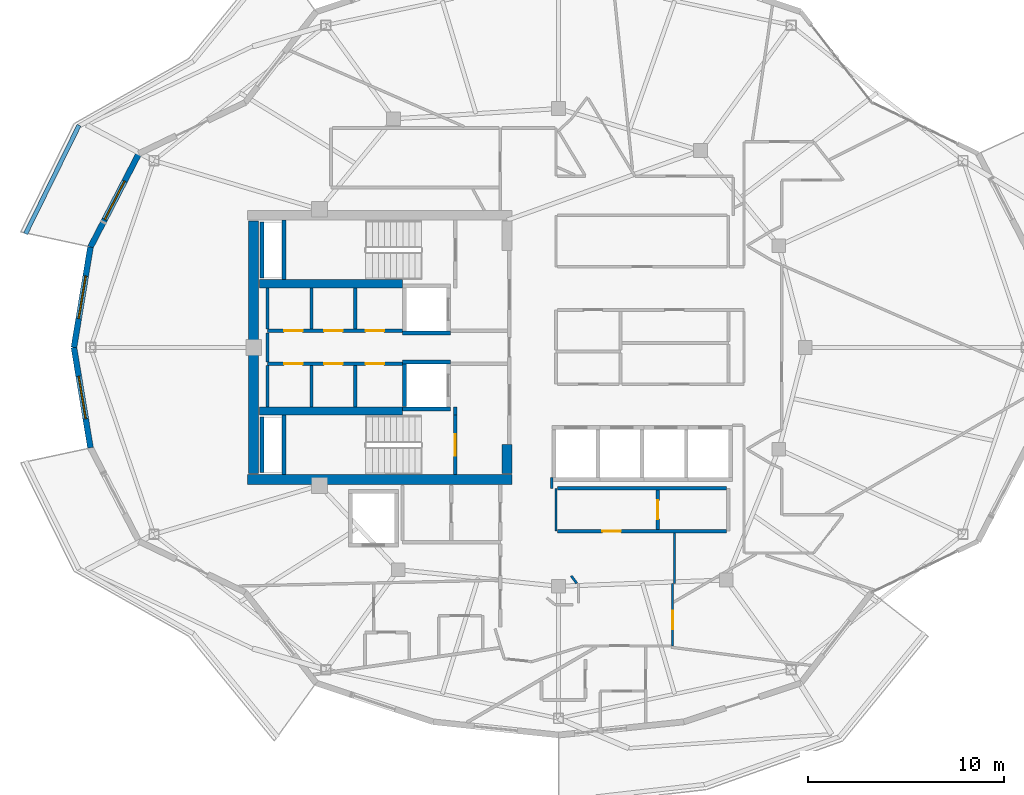
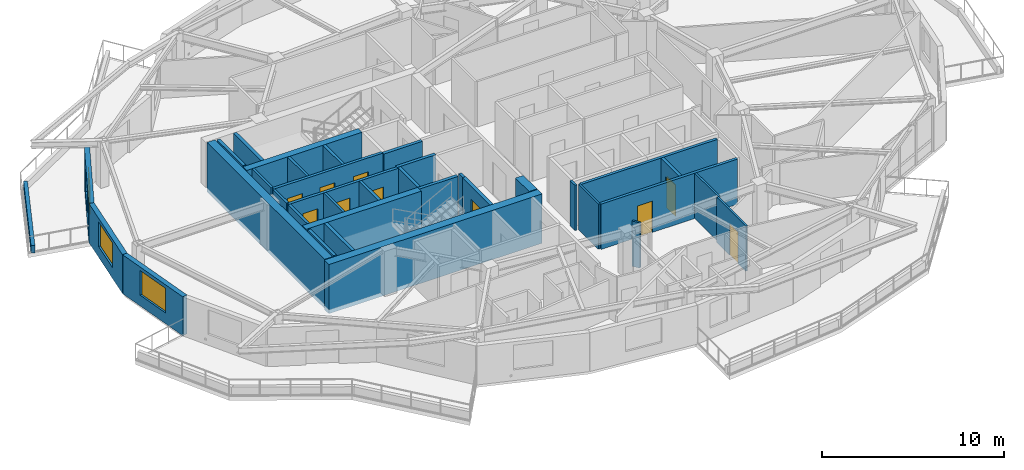
# One storey, part 7 of 14: 36 walls, 10 doors, 3 windows, 13 openings.
"""IFC4 building model written with IfcOpenShell, lengths in metres."""

from ifc_helpers import new_model, si_unit, direction, frame, frame_2d, origin, place, context, subcontext, project, spatial, rectangle, extrude, material, layer, layer_set, type_object, element, fill, save


model = new_model("IFC4")

# Units and contexts
model_context = context("Model", 3, precision=1e-05, world=origin(), true_north=direction((0.0, 1.0)))
body_context = subcontext(model_context, "Body", "Model", "MODEL_VIEW")
ifc_project = project(units=[si_unit("LENGTHUNIT", "METRE"), si_unit("AREAUNIT", "SQUARE_METRE"), si_unit("VOLUMEUNIT", "CUBIC_METRE"), si_unit("PLANEANGLEUNIT", "RADIAN"), si_unit("MASSUNIT", "GRAM", prefix="KILO")], contexts=[model_context])

# Site, building, storey
site_placement = place(None, origin())
site = spatial("IfcSite", under=ifc_project, at=site_placement, CompositionType="ELEMENT")
building_placement = place(site_placement, origin())
building = spatial("IfcBuilding", under=site, at=building_placement, Name="Kolvaren Gate Tower and Convention Centre", CompositionType="ELEMENT")
storey_placement = place(building_placement, frame((0.0, 0.0, 232.699951171875)))
storey = spatial("IfcBuildingStorey", under=building, at=storey_placement, Name="L62", CompositionType="ELEMENT", Elevation=232.699951171875)

# Wall
ifc_material_1 = material(Name="Autoclaved Aerated Masonry Blockwork Class 4 (4.0 MPa)", Category="masonry")
ifc_layer_1 = layer(ifc_material_1, 0.179931640625)
ifc_layer_set_1 = layer_set([ifc_layer_1], Name="Autoclaved Aerated Masonry Blockwork Class 4 (4.0 MPa)")
wall_type_1 = type_object("IfcWallType", Name="ARCH-WL-COMP-180", PredefinedType="SOLIDWALL", material=ifc_layer_set_1)
wall_1_placement = place(storey_placement, frame((24.85009765625, 23.5400390625, 0.0), z_axis=(0.0, 0.0, 1.0), x_axis=(0.0, 1.0, 0.0)))
element("IfcWall", 1, at=wall_1_placement, inside=storey, type_object=wall_type_1, Name="Interior Partition WL-L62-INT-001", PredefinedType="SOLIDWALL", context=body_context, shape_type="SweptSolid", body=[
    extrude(rectangle(XDim=0.419921875, YDim=0.179931640625, at=frame_2d((0.2099609375, 0.0))), origin(), (0.0, 0.0, 1.0), 3.030029296875),
])

# Wall, openings, doors
wall_2_placement = place(storey_placement, frame((15.25, 27.840087890625, 0.0), z_axis=(0.0, 0.0, 1.0), x_axis=(1.0, 0.0, 0.0)))
wall_2 = element("IfcWall", 2, at=wall_2_placement, inside=storey, type_object=wall_type_1, Name="Interior Partition WL-L62-INT-004", PredefinedType="SOLIDWALL", context=body_context, shape_type="SweptSolid", body=[
    extrude(rectangle(XDim=6.89990234375, YDim=0.179931640625, at=frame_2d((3.449951171875, 0.0))), origin(), (0.0, 0.0, 1.0), 3.030029296875),
])
opening_1_placement = place(wall_2_placement, frame((5.02001953125, 0.0, 0.0)))
opening_1 = element("IfcOpeningElement", 3, at=opening_1_placement, cuts=wall_2, Name="Opening DR-01", PredefinedType="OPENING", context=body_context, shape_type="SweptSolid", body=[
    extrude(rectangle(XDim=0.949951171875, YDim=2.10009765625, at=frame_2d((0.47509765625, 1.050048828125))), frame((0.0, 0.099853515625, 0.0), z_axis=(0.0, -1.0, 0.0), x_axis=(1.0, 0.0, 0.0)), (0.0, 0.0, 1.0), 0.199951171875),
])
opening_2_placement = place(wall_2_placement, frame((0.85498046875, 0.0, 0.0)))
opening_2 = element("IfcOpeningElement", 4, at=opening_2_placement, cuts=wall_2, Name="Opening DR-01", PredefinedType="OPENING", context=body_context, shape_type="SweptSolid", body=[
    extrude(rectangle(XDim=0.949951171875, YDim=2.10009765625, at=frame_2d((0.47509765625, 1.050048828125))), frame((0.0, 0.099853515625, 0.0), z_axis=(0.0, -1.0, 0.0), x_axis=(1.0, 0.0, 0.0)), (0.0, 0.0, 1.0), 0.199951171875),
])
opening_3_placement = place(wall_2_placement, frame((2.89990234375, 0.0, 0.0)))
opening_3 = element("IfcOpeningElement", 5, at=opening_3_placement, cuts=wall_2, Name="Opening DR-01", PredefinedType="OPENING", context=body_context, shape_type="SweptSolid", body=[
    extrude(rectangle(XDim=0.949951171875, YDim=2.10009765625, at=frame_2d((0.47509765625, 1.050048828125))), frame((0.0, 0.099853515625, 0.0), z_axis=(0.0, -1.0, 0.0), x_axis=(1.0, 0.0, 0.0)), (0.0, 0.0, 1.0), 0.199951171875),
])
ifc_material_2 = material(Name="Painted Architectural Steelwork ASTM A500 Grade C 345 MPa", Category="steel")
door_type_1 = type_object("IfcDoorType", Name="ARCH-DR-RISER-950", OperationType="SINGLE_SWING_RIGHT", PredefinedType="DOOR", material=ifc_material_2)
door_1_placement = place(opening_1_placement, origin())
door_1 = element("IfcDoor", 6, at=door_1_placement, inside=storey, type_object=door_type_1, Name="Electrical Switchgear Closet Door", OperationType="SINGLE_SWING_RIGHT", OverallHeight=2.10009765625, OverallWidth=0.949951171875, PredefinedType="DOOR", context=body_context, shape_type="SweptSolid", body=[
    extrude(rectangle(XDim=0.949951171875, YDim=2.10009765625, at=frame_2d((0.47509765625, 1.050048828125))), frame((0.0, 0.02490234375, 0.0), z_axis=(0.0, -1.0, 0.0), x_axis=(1.0, 0.0, 0.0)), (0.0, 0.0, 1.0), 0.050048828125),
])
fill(opening_1, door_1)
door_2_placement = place(opening_2_placement, origin())
door_2 = element("IfcDoor", 7, at=door_2_placement, inside=storey, type_object=door_type_1, Name="Staff Accessible WC Door", OperationType="SINGLE_SWING_RIGHT", OverallHeight=2.10009765625, OverallWidth=0.949951171875, PredefinedType="DOOR", context=body_context, shape_type="SweptSolid", body=[
    extrude(rectangle(XDim=0.949951171875, YDim=2.10009765625, at=frame_2d((0.47509765625, 1.050048828125))), frame((0.0, 0.02490234375, 0.0), z_axis=(0.0, -1.0, 0.0), x_axis=(1.0, 0.0, 0.0)), (0.0, 0.0, 1.0), 0.050048828125),
])
fill(opening_2, door_2)
door_3_placement = place(opening_3_placement, origin())
door_3 = element("IfcDoor", 8, at=door_3_placement, inside=storey, type_object=door_type_1, Name="Housekeeping Sink Closet Door", OperationType="SINGLE_SWING_LEFT", OverallHeight=2.10009765625, OverallWidth=0.949951171875, PredefinedType="DOOR", context=body_context, shape_type="SweptSolid", body=[
    extrude(rectangle(XDim=0.949951171875, YDim=2.10009765625, at=frame_2d((0.47509765625, 1.050048828125))), frame((0.0, 0.02490234375, 0.0), z_axis=(0.0, -1.0, 0.0), x_axis=(1.0, 0.0, 0.0)), (0.0, 0.0, 1.0), 0.050048828125),
])
fill(opening_3, door_3)

wall_3_placement = place(storey_placement, frame((15.25, 26.159912109375, 0.0), z_axis=(0.0, 0.0, 1.0), x_axis=(1.0, 0.0, 0.0)))
wall_3 = element("IfcWall", 9, at=wall_3_placement, inside=storey, type_object=wall_type_1, Name="Interior Partition WL-L62-INT-005", PredefinedType="SOLIDWALL", context=body_context, shape_type="SweptSolid", body=[
    extrude(rectangle(XDim=6.89990234375, YDim=0.179931640625, at=frame_2d((3.449951171875, 0.0))), origin(), (0.0, 0.0, 1.0), 3.030029296875),
])
opening_4_placement = place(wall_3_placement, frame((5.02001953125, 0.0, 0.0)))
opening_4 = element("IfcOpeningElement", 10, at=opening_4_placement, cuts=wall_3, Name="Opening DR-01", PredefinedType="OPENING", context=body_context, shape_type="SweptSolid", body=[
    extrude(rectangle(XDim=0.949951171875, YDim=2.10009765625, at=frame_2d((0.47509765625, 1.050048828125))), frame((0.0, 0.099853515625, 0.0), z_axis=(0.0, -1.0, 0.0), x_axis=(1.0, 0.0, 0.0)), (0.0, 0.0, 1.0), 0.199951171875),
])
opening_5_placement = place(wall_3_placement, frame((0.85498046875, 0.0, 0.0)))
opening_5 = element("IfcOpeningElement", 11, at=opening_5_placement, cuts=wall_3, Name="Opening DR-01", PredefinedType="OPENING", context=body_context, shape_type="SweptSolid", body=[
    extrude(rectangle(XDim=0.949951171875, YDim=2.10009765625, at=frame_2d((0.47509765625, 1.050048828125))), frame((0.0, 0.099853515625, 0.0), z_axis=(0.0, -1.0, 0.0), x_axis=(1.0, 0.0, 0.0)), (0.0, 0.0, 1.0), 0.199951171875),
])
opening_6_placement = place(wall_3_placement, frame((2.89990234375, 0.0, 0.0)))
opening_6 = element("IfcOpeningElement", 12, at=opening_6_placement, cuts=wall_3, Name="Opening DR-01", PredefinedType="OPENING", context=body_context, shape_type="SweptSolid", body=[
    extrude(rectangle(XDim=0.949951171875, YDim=2.10009765625, at=frame_2d((0.47509765625, 1.050048828125))), frame((0.0, 0.099853515625, 0.0), z_axis=(0.0, -1.0, 0.0), x_axis=(1.0, 0.0, 0.0)), (0.0, 0.0, 1.0), 0.199951171875),
])
door_4_placement = place(opening_4_placement, origin())
door_4 = element("IfcDoor", 13, at=door_4_placement, inside=storey, type_object=door_type_1, Name="Domestic Water Meter Closet Door", OperationType="SINGLE_SWING_LEFT", OverallHeight=2.10009765625, OverallWidth=0.949951171875, PredefinedType="DOOR", context=body_context, shape_type="SweptSolid", body=[
    extrude(rectangle(XDim=0.949951171875, YDim=2.10009765625, at=frame_2d((0.47509765625, 1.050048828125))), frame((0.0, 0.02490234375, 0.0), z_axis=(0.0, -1.0, 0.0), x_axis=(1.0, 0.0, 0.0)), (0.0, 0.0, 1.0), 0.050048828125),
])
fill(opening_4, door_4)
door_5_placement = place(opening_5_placement, origin())
door_5 = element("IfcDoor", 14, at=door_5_placement, inside=storey, type_object=door_type_1, Name="Beverage Service Pantry Door", OperationType="SINGLE_SWING_RIGHT", OverallHeight=2.10009765625, OverallWidth=0.949951171875, PredefinedType="DOOR", context=body_context, shape_type="SweptSolid", body=[
    extrude(rectangle(XDim=0.949951171875, YDim=2.10009765625, at=frame_2d((0.47509765625, 1.050048828125))), frame((0.0, 0.02490234375, 0.0), z_axis=(0.0, -1.0, 0.0), x_axis=(1.0, 0.0, 0.0)), (0.0, 0.0, 1.0), 0.050048828125),
])
fill(opening_5, door_5)
door_6_placement = place(opening_6_placement, origin())
door_6 = element("IfcDoor", 15, at=door_6_placement, inside=storey, type_object=door_type_1, Name="Archive Supply Closet Door", OperationType="SINGLE_SWING_LEFT", OverallHeight=2.10009765625, OverallWidth=0.949951171875, PredefinedType="DOOR", context=body_context, shape_type="SweptSolid", body=[
    extrude(rectangle(XDim=0.949951171875, YDim=2.10009765625, at=frame_2d((0.47509765625, 1.050048828125))), frame((0.0, 0.02490234375, 0.0), z_axis=(0.0, -1.0, 0.0), x_axis=(1.0, 0.0, 0.0)), (0.0, 0.0, 1.0), 0.050048828125),
])
fill(opening_6, door_6)

# Walls
for number, where, z_axis, x_axis, name in (
    (16, (19.75, 23.9619140625, 0.0), (0.0, 0.0, 1.0), (0.0, 1.0, 0.0), "Interior Partition WL-L62-INT-007"),
    (17, (19.75, 27.931884765625, 0.0), (0.0, 0.0, 1.0), (0.0, 1.0, 0.0), "Interior Partition WL-L62-INT-008"),
):
    element("IfcWall", number, at=place(storey_placement, frame(where, z_axis=z_axis, x_axis=x_axis)), inside=storey, type_object=wall_type_1, Name=name, PredefinedType="SOLIDWALL", context=body_context, shape_type="SweptSolid", body=[
        extrude(rectangle(XDim=2.106201171875, YDim=0.179931640625, at=frame_2d((1.05322265625, 0.0))), origin(), (0.0, 0.0, 1.0), 3.030029296875),
    ])

# Wall, opening, door
wall_4_placement = place(storey_placement, frame((30.06201171875, 17.6201171875, 0.0), z_axis=(0.0, 0.0, 1.0), x_axis=(1.0, 0.0, 0.0)))
wall_4 = element("IfcWall", 18, at=wall_4_placement, inside=storey, type_object=wall_type_1, Name="Interior Partition WL-L62-INT-030", PredefinedType="SOLIDWALL", context=body_context, shape_type="SweptSolid", body=[
    extrude(rectangle(XDim=8.64599609375, YDim=0.179931640625, at=frame_2d((4.322998046875, 0.0))), origin(), (0.0, 0.0, 1.0), 3.030029296875),
])
opening_7_placement = place(wall_4_placement, frame((2.299072265625, 0.0, 0.0)))
opening_7 = element("IfcOpeningElement", 19, at=opening_7_placement, cuts=wall_4, Name="Opening DR-01", PredefinedType="OPENING", context=body_context, shape_type="SweptSolid", body=[
    extrude(rectangle(XDim=0.949951171875, YDim=2.10009765625, at=frame_2d((0.47509765625, 1.050048828125))), frame((0.0, 0.099853515625, 0.0), z_axis=(0.0, -1.0, 0.0), x_axis=(1.0, 0.0, 0.0)), (0.0, 0.0, 1.0), 0.199951171875),
])
door_7_placement = place(opening_7_placement, origin())
door_7 = element("IfcDoor", 20, at=door_7_placement, inside=storey, type_object=door_type_1, Name="Resident Quiet Library Door", OperationType="SINGLE_SWING_RIGHT", OverallHeight=2.10009765625, OverallWidth=0.949951171875, PredefinedType="DOOR", context=body_context, shape_type="SweptSolid", body=[
    extrude(rectangle(XDim=0.949951171875, YDim=2.10009765625, at=frame_2d((0.47509765625, 1.050048828125))), frame((0.0, 0.02490234375, 0.0), z_axis=(0.0, -1.0, 0.0), x_axis=(1.0, 0.0, 0.0)), (0.0, 0.0, 1.0), 0.050048828125),
])
fill(opening_7, door_7)

# Wall
wall_5_placement = place(storey_placement, frame((30.06201171875, 19.800048828125, 0.0), z_axis=(0.0, 0.0, 1.0), x_axis=(1.0, 0.0, 0.0)))
element("IfcWall", 21, at=wall_5_placement, inside=storey, type_object=wall_type_1, Name="Interior Partition WL-L62-INT-031", PredefinedType="SOLIDWALL", context=body_context, shape_type="SweptSolid", body=[
    extrude(rectangle(XDim=8.64599609375, YDim=0.179931640625, at=frame_2d((4.322998046875, 0.0))), origin(), (0.0, 0.0, 1.0), 3.030029296875),
])

# Wall, opening, door
wall_6_placement = place(storey_placement, frame((35.199951171875, 17.7119140625, 0.0), z_axis=(0.0, 0.0, 1.0), x_axis=(0.0, 1.0, 0.0)))
wall_6 = element("IfcWall", 22, at=wall_6_placement, inside=storey, type_object=wall_type_1, Name="Interior Partition WL-L62-INT-032", PredefinedType="SOLIDWALL", context=body_context, shape_type="SweptSolid", body=[
    extrude(rectangle(XDim=1.99609375, YDim=0.179931640625, at=frame_2d((0.998046875, 0.0))), origin(), (0.0, 0.0, 1.0), 3.030029296875),
])
opening_8_placement = place(wall_6_placement, frame((0.52294921875, 0.0, 0.0)))
opening_8 = element("IfcOpeningElement", 23, at=opening_8_placement, cuts=wall_6, Name="Opening DR-01", PredefinedType="OPENING", context=body_context, shape_type="SweptSolid", body=[
    extrude(rectangle(XDim=0.949951171875, YDim=2.10009765625, at=frame_2d((0.47509765625, 1.050048828125))), frame((0.0, 0.099853515625, 0.0), z_axis=(0.0, -1.0, 0.0), x_axis=(1.0, 0.0, 0.0)), (0.0, 0.0, 1.0), 0.199951171875),
])
door_8_placement = place(opening_8_placement, origin())
door_8 = element("IfcDoor", 24, at=door_8_placement, inside=storey, type_object=door_type_1, Name="Smart-Metering Room Door", OperationType="SINGLE_SWING_RIGHT", OverallHeight=2.10009765625, OverallWidth=0.949951171875, PredefinedType="DOOR", context=body_context, shape_type="SweptSolid", body=[
    extrude(rectangle(XDim=0.949951171875, YDim=2.10009765625, at=frame_2d((0.47509765625, 1.050048828125))), frame((0.0, 0.02490234375, 0.0), z_axis=(0.0, -1.0, 0.0), x_axis=(1.0, 0.0, 0.0)), (0.0, 0.0, 1.0), 0.050048828125),
])
fill(opening_8, door_8)

# Walls
ifc_material_3 = material(Name="Fire-Rated Acoustic Gypsum Stud Partition", Category="gypsum")
ifc_layer_2 = layer(ifc_material_3, 0.1201171875)
ifc_layer_set_2 = layer_set([ifc_layer_2], Name="Fire-Rated Acoustic Gypsum Stud Partition")
wall_type_2 = type_object("IfcWallType", Name="ARCH-WL-PART-120", PredefinedType="PARTITIONING", material=ifc_layer_set_2)
wall_7_placement = place(storey_placement, frame((30.0, 17.6201171875, 0.0), z_axis=(0.0, 0.0, 1.0), x_axis=(0.0, 1.0, 0.0)))
element("IfcWall", 25, at=wall_7_placement, inside=storey, type_object=wall_type_2, Name="Interior Partition WL-L62-INT-017", PredefinedType="PARTITIONING", context=body_context, shape_type="SweptSolid", body=[
    extrude(rectangle(XDim=2.179931640625, YDim=0.1201171875, at=frame_2d((1.08984375, 0.0))), origin(), (0.0, 0.0, 1.0), 3.030029296875),
])
wall_8_placement = place(storey_placement, frame((29.780029296875, 19.800048828125, 0.0), z_axis=(0.0, 0.0, 1.0), x_axis=(0.0, 1.0, 0.0)))
element("IfcWall", 26, at=wall_8_placement, inside=storey, type_object=wall_type_2, Name="Interior Partition WL-L62-INT-064", PredefinedType="PARTITIONING", context=body_context, shape_type="SweptSolid", body=[
    extrude(rectangle(XDim=0.56005859375, YDim=0.1201171875, at=frame_2d((0.280029296875, 0.0))), origin(), (0.0, 0.0, 1.0), 3.030029296875),
])
wall_9_placement = place(storey_placement, frame((36.050048828125, 14.949951171875, 0.0), z_axis=(0.0, 0.0, 1.0), x_axis=(0.0, 1.0, 0.0)))
element("IfcWall", 27, at=wall_9_placement, inside=storey, type_object=wall_type_2, Name="Interior Partition WL-L62-INT-065", PredefinedType="PARTITIONING", context=body_context, shape_type="SweptSolid", body=[
    extrude(rectangle(XDim=2.578125, YDim=0.1201171875, at=frame_2d((1.2890625, 0.0))), origin(), (0.0, 0.0, 1.0), 3.030029296875),
])

# Wall, opening, door
wall_10_placement = place(storey_placement, frame((35.949951171875, 11.75, 0.0), z_axis=(0.0, 0.0, 1.0), x_axis=(0.0, 1.0, 0.0)))
wall_10 = element("IfcWall", 28, at=wall_10_placement, inside=storey, type_object=wall_type_2, Name="Interior Partition WL-L62-INT-066", PredefinedType="PARTITIONING", context=body_context, shape_type="SweptSolid", body=[
    extrude(rectangle(XDim=3.199951171875, YDim=0.1201171875, at=frame_2d((1.60009765625, 0.0))), origin(), (0.0, 0.0, 1.0), 3.030029296875),
])
opening_9_placement = place(wall_10_placement, frame((0.852783203125, 0.0, 0.0)))
opening_9 = element("IfcOpeningElement", 29, at=opening_9_placement, cuts=wall_10, Name="Opening DR-01", PredefinedType="OPENING", context=body_context, shape_type="SweptSolid", body=[
    extrude(rectangle(XDim=0.949951171875, YDim=2.10009765625, at=frame_2d((0.47509765625, 1.050048828125))), frame((0.0, 0.070068359375, 0.0), z_axis=(0.0, -1.0, 0.0), x_axis=(1.0, 0.0, 0.0)), (0.0, 0.0, 1.0), 0.14013671875),
])
door_9_placement = place(opening_9_placement, origin())
door_9 = element("IfcDoor", 30, at=door_9_placement, inside=storey, type_object=door_type_1, Name="Resident Committee Meeting Room Door", OperationType="SINGLE_SWING_LEFT", OverallHeight=2.10009765625, OverallWidth=0.949951171875, PredefinedType="DOOR", context=body_context, shape_type="SweptSolid", body=[
    extrude(rectangle(XDim=0.949951171875, YDim=2.10009765625, at=frame_2d((0.47509765625, 1.050048828125))), frame((0.0, 0.02490234375, 0.0), z_axis=(0.0, -1.0, 0.0), x_axis=(1.0, 0.0, 0.0)), (0.0, 0.0, 1.0), 0.050048828125),
])
fill(opening_9, door_9)

# Walls
wall_11_placement = place(storey_placement, frame((30.77392578125, 15.3330078125, 0.0), z_axis=(0.0, 0.0, 1.0), x_axis=(0.595814974861, -0.803121731577, 0.0)))
element("IfcWall", 31, at=wall_11_placement, inside=storey, type_object=wall_type_2, Name="Interior Partition WL-L62-INT-073", PredefinedType="PARTITIONING", context=body_context, shape_type="SweptSolid", body=[
    extrude(rectangle(XDim=0.47705078125, YDim=0.1201171875, at=frame_2d((0.238525390625, 0.0))), origin(), (0.0, 0.0, 1.0), 3.030029296875),
])
ifc_material_4 = material(Name="Piedmont Cream Honed Limestone Cladding", Category="masonry")
ifc_layer_3 = layer(ifc_material_4, 0.219970703125)
ifc_layer_set_3 = layer_set([ifc_layer_3], Name="Piedmont Cream Honed Limestone Cladding")
wall_type_3 = type_object("IfcWallType", Name="ARCH-WL-PLANTER-220", PredefinedType="PARAPET", material=ifc_layer_set_3)
wall_12_placement = place(storey_placement, frame((2.905517578125, 32.8037109375, 0.0), z_axis=(0.0, 0.0, 1.0), x_axis=(0.441640961804, 0.897191875162, 0.0)))
element("IfcWall", 32, at=wall_12_placement, inside=storey, type_object=wall_type_3, Name="Vertical-Forest Balcony Stone Planter Kerb PK-L62-1.3", PredefinedType="PARAPET", context=body_context, shape_type="SweptSolid", body=[
    extrude(rectangle(XDim=6.17822265625, YDim=0.219970703125, at=frame_2d((3.089111328125, 0.0))), origin(), (0.0, 0.0, 1.0), 0.52001953125),
])
ifc_layer_4 = layer(ifc_material_1, 0.199951171875)
ifc_layer_set_4 = layer_set([ifc_layer_4], Name="Autoclaved Aerated Masonry Blockwork Class 4 (4.0 MPa)")
wall_type_4 = type_object("IfcWallType", Name="ARCH-WL-SHAFT-200", PredefinedType="SOLIDWALL", material=ifc_layer_set_4)
for number, where, z_axis, x_axis, name in (
    (33, (22.14990234375, 27.739990234375, 0.0), (0.0, 0.0, 1.0), (1.0, 0.0, 0.0), "Elevator FF-01 L62 Fire Shaft Wall S"),
    (34, (22.14990234375, 26.260009765625, 0.0), (0.0, 0.0, 1.0), (1.0, 0.0, 0.0), "Elevator FF-02 L62 Fire Shaft Wall N"),
    (35, (22.14990234375, 23.860107421875, 0.0), (0.0, 0.0, 1.0), (1.0, 0.0, 0.0), "Elevator FF-02 L62 Fire Shaft Wall S"),
):
    element("IfcWall", number, at=place(storey_placement, frame(where, z_axis=z_axis, x_axis=x_axis)), inside=storey, type_object=wall_type_4, Name=name, PredefinedType="SOLIDWALL", context=body_context, shape_type="SweptSolid", body=[
        extrude(rectangle(XDim=2.4501953125, YDim=0.199951171875, at=frame_2d((1.22509765625, 0.0))), origin(), (0.0, 0.0, 1.0), 3.030029296875),
    ])
wall_13_placement = place(storey_placement, frame((22.25, 23.969970703125, 0.0), z_axis=(0.0, 0.0, 1.0), x_axis=(0.0, 1.0, 0.0)))
element("IfcWall", 36, at=wall_13_placement, inside=storey, type_object=wall_type_4, Name="Elevator FF-02 L62 Fire Shaft Wall W", PredefinedType="SOLIDWALL", context=body_context, shape_type="SweptSolid", body=[
    extrude(rectangle(XDim=2.179931640625, YDim=0.199951171875, at=frame_2d((1.08984375, 0.0))), origin(), (0.0, 0.0, 1.0), 3.030029296875),
])
for number, where, z_axis, x_axis, name in (
    (37, (14.989990234375, 30.550048828125, 0.0), (0.0, 0.0, 1.0), (0.0, 1.0, 0.0), "Vertical Shaft HVR L62 EI-120 Enclosure Wall W"),
    (38, (14.989990234375, 20.60009765625, 0.0), (0.0, 0.0, 1.0), (0.0, 1.0, 0.0), "Vertical Shaft MPR L62 EI-120 Enclosure Wall W"),
):
    element("IfcWall", number, at=place(storey_placement, frame(where, z_axis=z_axis, x_axis=x_axis)), inside=storey, type_object=wall_type_4, Name=name, PredefinedType="SOLIDWALL", context=body_context, shape_type="SweptSolid", body=[
        extrude(rectangle(XDim=2.849853515625, YDim=0.199951171875, at=frame_2d((1.4248046875, 0.0))), origin(), (0.0, 0.0, 1.0), 3.030029296875),
    ])

# Wall, opening, window
ifc_layer_5 = layer(ifc_material_4, 0.300048828125)
ifc_layer_set_5 = layer_set([ifc_layer_5], Name="Piedmont Cream Honed Limestone Cladding")
wall_type_5 = type_object("IfcWallType", Name="ARCH-WL-STONE-300", PredefinedType="SOLIDWALL", material=ifc_layer_set_5)
wall_14_placement = place(storey_placement, frame((6.21826171875, 32.12451171875, 0.0), z_axis=(0.0, 0.0, 1.0), x_axis=(0.459808219482, 0.888018243786, 0.0)))
wall_14 = element("IfcWall", 39, at=wall_14_placement, inside=storey, type_object=wall_type_5, Name="Tower L62 Honed Stone Spandrel Wall EW-10", PredefinedType="SOLIDWALL", context=body_context, shape_type="SweptSolid", body=[
    extrude(rectangle(XDim=5.377685546875, YDim=0.300048828125, at=frame_2d((2.68896484375, 0.0))), origin(), (0.0, 0.0, 1.0), 2.60498046875),
])
opening_10_placement = place(wall_14_placement, frame((1.589111328125, 0.0, 0.719970703125)))
opening_10 = element("IfcOpeningElement", 40, at=opening_10_placement, cuts=wall_14, Name="Opening W-03", PredefinedType="OPENING", context=body_context, shape_type="SweptSolid", body=[
    extrude(rectangle(XDim=2.199951171875, YDim=1.64990234375, at=frame_2d((1.10009765625, 0.824951171875))), frame((0.0, 0.159912109375, 0.0), z_axis=(0.0, -1.0, 0.0), x_axis=(1.0, 0.0, 0.0)), (0.0, 0.0, 1.0), 0.320068359375),
])
ifc_material_5 = material(Name="Low-E Triple Insulated Glazing Unit 44 mm", Category="glass")
window_type = type_object("IfcWindowType", Name="ARCH-WN-RES-2200", PartitioningType="SINGLE_PANEL", PredefinedType="WINDOW", material=ifc_material_5)
window_1_placement = place(opening_10_placement, origin())
window_1 = element("IfcWindow", 41, at=window_1_placement, inside=storey, type_object=window_type, Name="Tower L62 Punched Stone Facade Window W-10", OverallHeight=1.64990234375, OverallWidth=2.199951171875, PartitioningType="SINGLE_PANEL", PredefinedType="WINDOW", context=body_context, shape_type="SweptSolid", body=[
    extrude(rectangle(XDim=2.199951171875, YDim=1.64990234375, at=frame_2d((1.10009765625, 0.824951171875))), frame((0.0, 0.030029296875, 0.0), z_axis=(0.0, -1.0, 0.0), x_axis=(1.0, 0.0, 0.0)), (0.0, 0.0, 1.0), 0.06005859375),
])
fill(opening_10, window_1)

wall_15_placement = place(storey_placement, frame((5.375, 27.0, 0.0), z_axis=(0.0, 0.0, 1.0), x_axis=(0.16237087798, 0.986729799886, 0.0)))
wall_15 = element("IfcWall", 42, at=wall_15_placement, inside=storey, type_object=wall_type_5, Name="Tower L62 Honed Stone Spandrel Wall EW-11", PredefinedType="SOLIDWALL", context=body_context, shape_type="SweptSolid", body=[
    extrude(rectangle(XDim=5.193359375, YDim=0.300048828125, at=frame_2d((2.5966796875, 0.0))), origin(), (0.0, 0.0, 1.0), 2.60498046875),
])
opening_11_placement = place(wall_15_placement, frame((1.4970703125, 0.0, 0.719970703125)))
opening_11 = element("IfcOpeningElement", 43, at=opening_11_placement, cuts=wall_15, Name="Opening W-03", PredefinedType="OPENING", context=body_context, shape_type="SweptSolid", body=[
    extrude(rectangle(XDim=2.199951171875, YDim=1.64990234375, at=frame_2d((1.10009765625, 0.824951171875))), frame((0.0, 0.159912109375, 0.0), z_axis=(0.0, -1.0, 0.0), x_axis=(1.0, 0.0, 0.0)), (0.0, 0.0, 1.0), 0.320068359375),
])
window_2_placement = place(opening_11_placement, origin())
window_2 = element("IfcWindow", 44, at=window_2_placement, inside=storey, type_object=window_type, Name="Tower L62 Punched Stone Facade Window W-11", OverallHeight=1.64990234375, OverallWidth=2.199951171875, PartitioningType="SINGLE_PANEL", PredefinedType="WINDOW", context=body_context, shape_type="SweptSolid", body=[
    extrude(rectangle(XDim=2.199951171875, YDim=1.64990234375, at=frame_2d((1.10009765625, 0.824951171875))), frame((0.0, 0.030029296875, 0.0), z_axis=(0.0, -1.0, 0.0), x_axis=(1.0, 0.0, 0.0)), (0.0, 0.0, 1.0), 0.06005859375),
])
fill(opening_11, window_2)

wall_16_placement = place(storey_placement, frame((5.375, 27.0, 0.0), z_axis=(0.0, 0.0, 1.0), x_axis=(0.16237087798, -0.986729799886, 0.0)))
wall_16 = element("IfcWall", 45, at=wall_16_placement, inside=storey, type_object=wall_type_5, Name="Tower L62 Honed Stone Spandrel Wall EW-12", PredefinedType="SOLIDWALL", context=body_context, shape_type="SweptSolid", body=[
    extrude(rectangle(XDim=5.193359375, YDim=0.300048828125, at=frame_2d((2.5966796875, 0.0))), origin(), (0.0, 0.0, 1.0), 2.60498046875),
])
opening_12_placement = place(wall_16_placement, frame((1.4970703125, 0.0, 0.719970703125)))
opening_12 = element("IfcOpeningElement", 46, at=opening_12_placement, cuts=wall_16, Name="Opening W-03", PredefinedType="OPENING", context=body_context, shape_type="SweptSolid", body=[
    extrude(rectangle(XDim=2.199951171875, YDim=1.64990234375, at=frame_2d((1.10009765625, 0.824951171875))), frame((0.0, 0.159912109375, 0.0), z_axis=(0.0, -1.0, 0.0), x_axis=(1.0, 0.0, 0.0)), (0.0, 0.0, 1.0), 0.320068359375),
])
window_3_placement = place(opening_12_placement, origin())
window_3 = element("IfcWindow", 47, at=window_3_placement, inside=storey, type_object=window_type, Name="Tower L62 Punched Stone Facade Window W-12", OverallHeight=1.64990234375, OverallWidth=2.199951171875, PartitioningType="SINGLE_PANEL", PredefinedType="WINDOW", context=body_context, shape_type="SweptSolid", body=[
    extrude(rectangle(XDim=2.199951171875, YDim=1.64990234375, at=frame_2d((1.10009765625, 0.824951171875))), frame((0.0, 0.030029296875, 0.0), z_axis=(0.0, -1.0, 0.0), x_axis=(1.0, 0.0, 0.0)), (0.0, 0.0, 1.0), 0.06005859375),
])
fill(opening_12, window_3)

# Walls
ifc_material_6 = material(Name="Moisture-Resistant Cement-Board Acoustic Partition", Category="gypsum")
ifc_layer_6 = layer(ifc_material_6, 0.14990234375)
ifc_layer_set_6 = layer_set([ifc_layer_6], Name="Moisture-Resistant Cement-Board Acoustic Partition")
wall_type_6 = type_object("IfcWallType", Name="ARCH-WL-WET-150", PredefinedType="PARTITIONING", material=ifc_layer_set_6)
wall_17_placement = place(storey_placement, frame((15.25, 23.9619140625, 0.0), z_axis=(0.0, 0.0, 1.0), x_axis=(0.0, 1.0, 0.0)))
element("IfcWall", 48, at=wall_17_placement, inside=storey, type_object=wall_type_6, Name="Interior Partition WL-L62-INT-006", PredefinedType="PARTITIONING", context=body_context, shape_type="SweptSolid", body=[
    extrude(rectangle(XDim=2.106201171875, YDim=0.14990234375, at=frame_2d((1.05322265625, 0.0))), origin(), (0.0, 0.0, 1.0), 3.030029296875),
])
wall_18_placement = place(storey_placement, frame((15.25, 26.251953125, 0.0), z_axis=(0.0, 0.0, 1.0), x_axis=(0.0, 1.0, 0.0)))
element("IfcWall", 49, at=wall_18_placement, inside=storey, type_object=wall_type_6, Name="Interior Partition WL-L62-INT-006 (2)", PredefinedType="PARTITIONING", context=body_context, shape_type="SweptSolid", body=[
    extrude(rectangle(XDim=1.49609375, YDim=0.14990234375, at=frame_2d((0.748046875, 0.0))), origin(), (0.0, 0.0, 1.0), 3.030029296875),
])
for number, where, z_axis, x_axis, name in (
    (50, (15.25, 27.931884765625, 0.0), (0.0, 0.0, 1.0), (0.0, 1.0, 0.0), "Interior Partition WL-L62-INT-006 (3)"),
    (51, (17.5, 23.9619140625, 0.0), (0.0, 0.0, 1.0), (0.0, 1.0, 0.0), "Interior Partition WL-L62-INT-009"),
    (52, (17.5, 27.931884765625, 0.0), (0.0, 0.0, 1.0), (0.0, 1.0, 0.0), "Interior Partition WL-L62-INT-010"),
):
    element("IfcWall", number, at=place(storey_placement, frame(where, z_axis=z_axis, x_axis=x_axis)), inside=storey, type_object=wall_type_6, Name=name, PredefinedType="PARTITIONING", context=body_context, shape_type="SweptSolid", body=[
        extrude(rectangle(XDim=2.106201171875, YDim=0.14990234375, at=frame_2d((1.05322265625, 0.0))), origin(), (0.0, 0.0, 1.0), 3.030029296875),
    ])
ifc_material_7 = material(Name="Concrete C50/60", Category="concrete")
ifc_layer_7 = layer(ifc_material_7, 0.419921875)
ifc_layer_set_7 = layer_set([ifc_layer_7], Name="Concrete C50/60")
wall_type_7 = type_object("IfcWallType", Name="STR-WL-CONV-420", PredefinedType="SHEAR", material=ifc_layer_set_7)
for number, where, z_axis, x_axis, name in (
    (53, (14.85009765625, 30.25, -0.27001953125), (0.0, 0.0, 1.0), (1.0, 0.0, 0.0), "Tower L62 Offset Core Shear Wall WN"),
    (54, (14.85009765625, 23.75, -0.27001953125), (0.0, 0.0, 1.0), (1.0, 0.0, 0.0), "Tower L62 Offset Core Shear Wall WS"),
):
    element("IfcWall", number, at=place(storey_placement, frame(where, z_axis=z_axis, x_axis=x_axis)), inside=storey, type_object=wall_type_7, Name=name, PredefinedType="SHEAR", context=body_context, shape_type="SweptSolid", body=[
        extrude(rectangle(XDim=7.2998046875, YDim=0.419921875, at=frame_2d((3.64990234375, 0.0))), origin(), (0.0, 0.0, 1.0), 3.300048828125),
    ])
ifc_layer_8 = layer(ifc_material_7, 0.5)
ifc_layer_set_8 = layer_set([ifc_layer_8], Name="Concrete C50/60")
wall_type_8 = type_object("IfcWallType", Name="STR-WL-CORE-500", PredefinedType="SHEAR", material=ifc_layer_set_8)
wall_19_placement = place(storey_placement, frame((14.25, 20.25, -0.27001953125), z_axis=(0.0, 0.0, 1.0), x_axis=(1.0, 0.0, 0.0)))
element("IfcWall", 55, at=wall_19_placement, inside=storey, type_object=wall_type_8, Name="Tower L62 Offset Core Shear Wall S", PredefinedType="SHEAR", context=body_context, shape_type="SweptSolid", body=[
    extrude(rectangle(XDim=13.5, YDim=0.5, at=frame_2d((6.75, 0.0))), origin(), (0.0, 0.0, 1.0), 3.300048828125),
])
wall_20_placement = place(storey_placement, frame((14.550048828125, 20.550048828125, -0.27001953125), z_axis=(0.0, 0.0, 1.0), x_axis=(0.0, 1.0, 0.0)))
element("IfcWall", 56, at=wall_20_placement, inside=storey, type_object=wall_type_8, Name="Tower L62 Offset Core Shear Wall W", PredefinedType="SHEAR", context=body_context, shape_type="SweptSolid", body=[
    extrude(rectangle(XDim=12.89990234375, YDim=0.5, at=frame_2d((6.449951171875, 0.0))), origin(), (0.0, 0.0, 1.0), 3.300048828125),
])
wall_21_placement = place(storey_placement, frame((27.5, 20.550048828125, -0.27001953125), z_axis=(0.0, 0.0, 1.0), x_axis=(0.0, 1.0, 0.0)))
element("IfcWall", 57, at=wall_21_placement, inside=storey, type_object=wall_type_8, Name="Tower L62 Offset Core Shear Wall ES", PredefinedType="SHEAR", context=body_context, shape_type="SweptSolid", body=[
    extrude(rectangle(XDim=1.5, YDim=0.5, at=frame_2d((0.75, 0.0))), origin(), (0.0, 0.0, 1.0), 3.300048828125),
])
ifc_layer_9 = layer(ifc_material_7, 0.199951171875)
ifc_layer_set_9 = layer_set([ifc_layer_9], Name="Concrete C50/60")
wall_type_9 = type_object("IfcWallType", Name="STR-WL-SHAFT-200", PredefinedType="SHEAR", material=ifc_layer_set_9)
wall_22_placement = place(storey_placement, frame((16.10009765625, 30.4619140625, -0.27001953125), z_axis=(0.0, 0.0, 1.0), x_axis=(0.0, 1.0, 0.0)))
element("IfcWall", 58, at=wall_22_placement, inside=storey, type_object=wall_type_9, Name="Tower North Exit Stair ST-T1 L62 Structural Shear Enclosure Wall FAR", PredefinedType="SHEAR", context=body_context, shape_type="SweptSolid", body=[
    extrude(rectangle(XDim=3.0361328125, YDim=0.199951171875, at=frame_2d((1.51806640625, 0.0))), origin(), (0.0, 0.0, 1.0), 3.300048828125),
])

# Wall, opening, door
wall_23_placement = place(storey_placement, frame((24.85009765625, 20.501953125, -0.27001953125), z_axis=(0.0, 0.0, 1.0), x_axis=(0.0, 1.0, 0.0)))
wall_23 = element("IfcWall", 59, at=wall_23_placement, inside=storey, type_object=wall_type_9, Name="Tower South Exit Stair ST-T2 L62 Structural Shear Enclosure Wall NEAR", PredefinedType="SHEAR", context=body_context, shape_type="SweptSolid", body=[
    extrude(rectangle(XDim=3.0380859375, YDim=0.199951171875, at=frame_2d((1.51904296875, 0.0))), origin(), (0.0, 0.0, 1.0), 3.300048828125),
])
opening_13_placement = place(wall_23_placement, frame((0.968994140625, 0.0, 0.27001953125)))
opening_13 = element("IfcOpeningElement", 60, at=opening_13_placement, cuts=wall_23, Name="Opening DS-01", PredefinedType="OPENING", context=body_context, shape_type="SweptSolid", body=[
    extrude(rectangle(XDim=1.10009765625, YDim=2.14990234375, at=frame_2d((0.550048828125, 1.074951171875))), frame((0.0, 0.10986328125, 0.0), z_axis=(0.0, -1.0, 0.0), x_axis=(1.0, 0.0, 0.0)), (0.0, 0.0, 1.0), 0.219970703125),
])
door_type_2 = type_object("IfcDoorType", Name="ARCH-DR-STAIR-1100", OperationType="SINGLE_SWING_LEFT", PredefinedType="DOOR", material=ifc_material_2)
door_10_placement = place(opening_13_placement, origin())
door_10 = element("IfcDoor", 61, at=door_10_placement, inside=storey, type_object=door_type_2, Name="Tower South Exit Stair ST-T2 L62 Fire Exit Stair Door", OperationType="SINGLE_SWING_RIGHT", OverallHeight=2.14990234375, OverallWidth=1.10009765625, PredefinedType="DOOR", context=body_context, shape_type="SweptSolid", body=[
    extrude(rectangle(XDim=1.10009765625, YDim=2.14990234375, at=frame_2d((0.550048828125, 1.074951171875))), frame((0.0, 0.02490234375, 0.0), z_axis=(0.0, -1.0, 0.0), x_axis=(1.0, 0.0, 0.0)), (0.0, 0.0, 1.0), 0.050048828125),
])
fill(opening_13, door_10)

# Wall
wall_24_placement = place(storey_placement, frame((16.10009765625, 20.501953125, -0.27001953125), z_axis=(0.0, 0.0, 1.0), x_axis=(0.0, 1.0, 0.0)))
element("IfcWall", 62, at=wall_24_placement, inside=storey, type_object=wall_type_9, Name="Tower South Exit Stair ST-T2 L62 Structural Shear Enclosure Wall FAR", PredefinedType="SHEAR", context=body_context, shape_type="SweptSolid", body=[
    extrude(rectangle(XDim=3.0361328125, YDim=0.199951171875, at=frame_2d((1.51806640625, 0.0))), origin(), (0.0, 0.0, 1.0), 3.300048828125),
])

save(model, "model.ifc")
